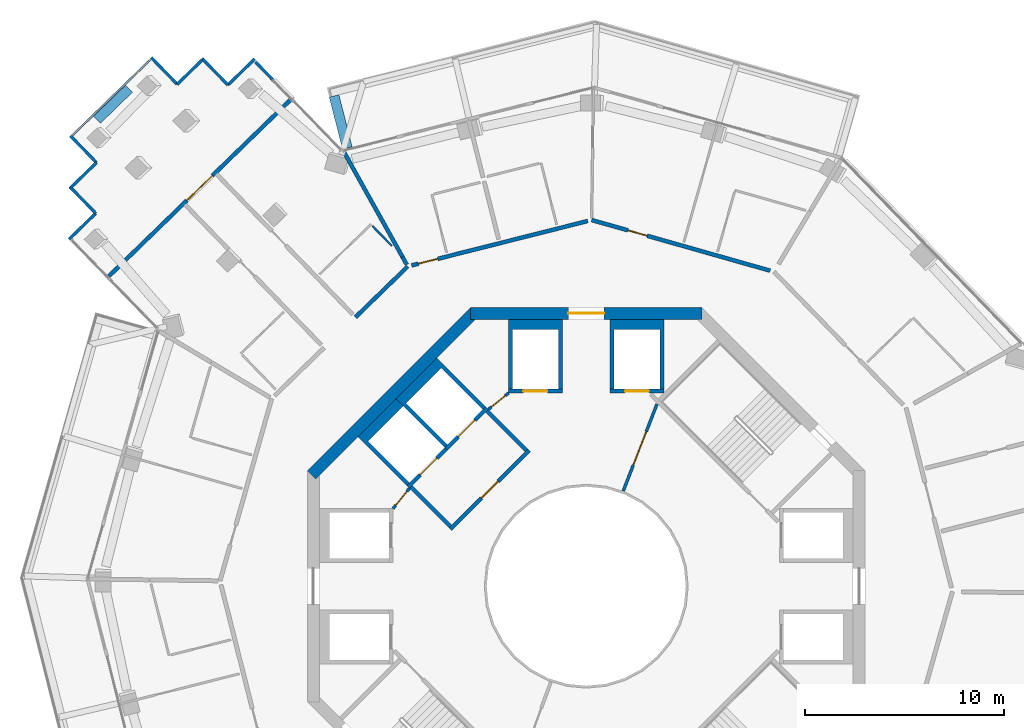
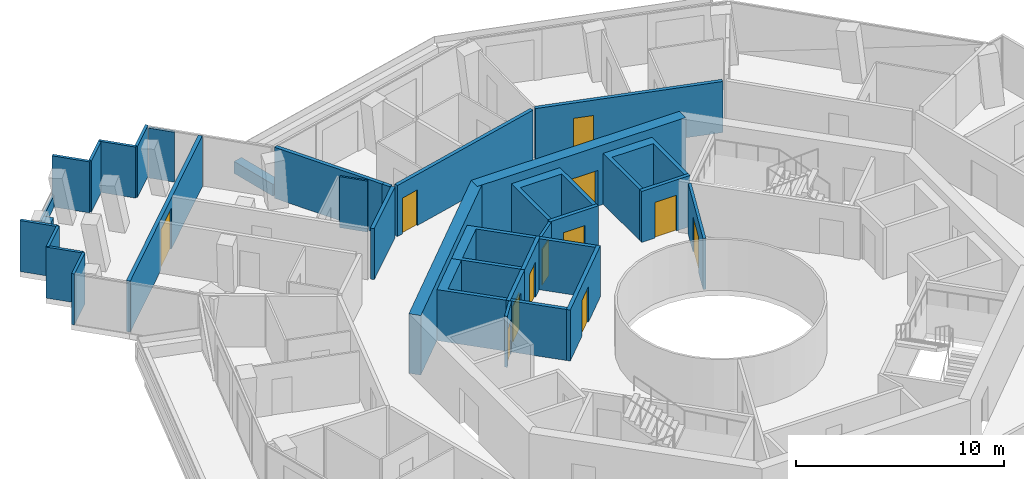
# One storey, part 19 of 24: 35 walls, 12 doors, 12 openings.
"""IFC4 building model written with IfcOpenShell, lengths in metres."""

from ifc_helpers import new_model, si_unit, direction, frame, frame_2d, origin, place, context, subcontext, project, spatial, polyline, rectangle, outline, extrude, material, layer, layer_set, type_object, element, fill, save


model = new_model("IFC4")

# Units and contexts
model_context = context("Model", 3, precision=1e-05, world=origin(), true_north=direction((0.0, 1.0)))
body_context = subcontext(model_context, "Body", "Model", "MODEL_VIEW")
ifc_project = project(units=[si_unit("LENGTHUNIT", "METRE"), si_unit("AREAUNIT", "SQUARE_METRE"), si_unit("VOLUMEUNIT", "CUBIC_METRE"), si_unit("PLANEANGLEUNIT", "RADIAN"), si_unit("MASSUNIT", "GRAM", prefix="KILO")], contexts=[model_context])

# Site, building, storey
site_placement = place(None, origin())
site = spatial("IfcSite", under=ifc_project, at=site_placement, CompositionType="ELEMENT")
building_placement = place(site_placement, origin())
building = spatial("IfcBuilding", under=site, at=building_placement, Name="Verdalira Terraces Hotel", CompositionType="ELEMENT")
storey_placement = place(building_placement, frame((0.0, 0.0, 212.5)))
storey = spatial("IfcBuildingStorey", under=building, at=storey_placement, Name="L52", CompositionType="ELEMENT", Elevation=212.5)

# Walls
ifc_material_1 = material(Name="Concrete C40", Category="concrete")
ifc_layer_1 = layer(ifc_material_1, 0.5)
ifc_layer_set_1 = layer_set([ifc_layer_1], Name="Balcony planter trough with tree")
wall_type_1 = type_object("IfcWallType", Name="Balcony planter trough with tree", PredefinedType="SOLIDWALL", material=ifc_layer_set_1)
wall_1_placement = place(storey_placement, frame((-12.655029, 24.610352, 0.0), z_axis=(0.0, 0.0, 1.0), x_axis=(0.244684701, -0.969602701, 0.0)))
element("IfcWall", 1, at=wall_1_placement, inside=storey, type_object=wall_type_1, Name="Balcony planter", PredefinedType="SOLIDWALL", context=body_context, shape_type="SweptSolid", body=[
    extrude(rectangle(XDim=2.698975, YDim=0.5, at=frame_2d((1.349609, 0.0))), origin(), (0.0, 0.0, 1.0), 0.699951),
])
ifc_material_2 = material(Name="Moisture-resistant gypsum board partition")
ifc_layer_2 = layer(ifc_material_2, 0.10009765625)
ifc_layer_set_2 = layer_set([ifc_layer_2], Name="Bathroom partition 100 mm")
wall_type_2 = type_object("IfcWallType", Name="Bathroom partition 100 mm", PredefinedType="PARTITIONING", material=ifc_layer_set_2)
wall_2_placement = place(storey_placement, frame((-10.737305, 18.090332, 0.0), z_axis=(0.0, 0.0, 1.0), x_axis=(0.696731792, -0.71733173, 0.0)))
element("IfcWall", 2, at=wall_2_placement, inside=storey, type_object=wall_type_2, Name="Bathroom partition", PredefinedType="PARTITIONING", context=body_context, shape_type="SweptSolid", body=[
    extrude(rectangle(XDim=1.398438, YDim=0.100098, at=frame_2d((0.699219, 0.0))), origin(), (0.0, 0.0, 1.0), 3.0),
])
ifc_material_3 = material(Name="Concrete C50", Category="concrete")
ifc_layer_3 = layer(ifc_material_3, 0.199951171875)
ifc_layer_set_3 = layer_set([ifc_layer_3], Name="Core RC wall 200 C50")
wall_type_3 = type_object("IfcWallType", Name="Core RC wall 200 C50", PredefinedType="SOLIDWALL", material=ifc_layer_set_3)
wall_3_placement = place(storey_placement, origin())
element("IfcWall", 3, at=wall_3_placement, inside=storey, type_object=wall_type_3, Name="L52 shaft wall N1", PredefinedType="SOLIDWALL", context=body_context, shape_type="SweptSolid", body=[
    extrude(outline(polyline([(3.899902, 9.899902), (3.699951, 9.899902), (3.699951, 12.899902), (1.399902, 12.899902), (1.399902, 9.899902), (1.199951, 9.899902), (1.199951, 13.399902), (3.899902, 13.399902), (3.899902, 9.899902)])), origin(), (0.0, 0.0, 1.0), 3.0),
])

# Wall, opening, door
wall_4_placement = place(storey_placement, frame((1.199951, 9.800049, 0.0), z_axis=(0.0, 0.0, 1.0), x_axis=(1.0, 0.0, 0.0)))
wall_4 = element("IfcWall", 4, at=wall_4_placement, inside=storey, type_object=wall_type_3, Name="L52 shaft front wall N1", PredefinedType="SOLIDWALL", context=body_context, shape_type="SweptSolid", body=[
    extrude(rectangle(XDim=2.699951, YDim=0.199951, at=frame_2d((1.350098, 0.0))), origin(), (0.0, 0.0, 1.0), 3.0),
])
opening_1_placement = place(wall_4_placement, frame((0.75, 0.0, 0.0)))
opening_1 = element("IfcOpeningElement", 5, at=opening_1_placement, cuts=wall_4, Name="Opening LD-L52-804", PredefinedType="OPENING", context=body_context, shape_type="SweptSolid", body=[
    extrude(rectangle(XDim=1.199951, YDim=2.100098, at=frame_2d((0.600098, 1.050049))), frame((0.0, 0.109863, 0.0), z_axis=(0.0, -1.0, 0.0), x_axis=(1.0, 0.0, 0.0)), (0.0, 0.0, 1.0), 0.219971),
])
ifc_material_4 = material(Name="Stainless steel", Category="steel")
door_type_1 = type_object("IfcDoorType", Name="Landing door 1200 x 2100", OperationType="NOTDEFINED", PredefinedType="DOOR", material=ifc_material_4)
door_1_placement = place(opening_1_placement, origin())
door_1 = element("IfcDoor", 6, at=door_1_placement, inside=storey, type_object=door_type_1, Name="Lift landing door HR3 L52", OperationType="DOUBLE_DOOR_SLIDING", OverallHeight=2.10009765625, OverallWidth=1.199951171875, PredefinedType="DOOR", context=body_context, shape_type="SweptSolid", body=[
    extrude(rectangle(XDim=1.199951, YDim=2.100098, at=frame_2d((0.600098, 1.050049))), frame((0.0, 0.024902, 0.0), z_axis=(0.0, -1.0, 0.0), x_axis=(1.0, 0.0, 0.0)), (0.0, 0.0, 1.0), 0.050049),
])
fill(opening_1, door_1)

# Wall
wall_5_placement = place(storey_placement, origin())
element("IfcWall", 7, at=wall_5_placement, inside=storey, type_object=wall_type_3, Name="L52 shaft wall N2", PredefinedType="SOLIDWALL", context=body_context, shape_type="SweptSolid", body=[
    extrude(outline(polyline([(-3.899902, 13.399902), (-1.199951, 13.399902), (-1.199951, 9.899902), (-1.399902, 9.899902), (-1.399902, 12.899902), (-3.699951, 12.899902), (-3.699951, 9.899902), (-3.899902, 9.899902), (-3.899902, 13.399902)])), origin(), (0.0, 0.0, 1.0), 3.0),
])

# Wall, opening, door
wall_6_placement = place(storey_placement, frame((-1.199951, 9.800049, 0.0), z_axis=(0.0, 0.0, 1.0), x_axis=(-1.0, 0.0, 0.0)))
wall_6 = element("IfcWall", 8, at=wall_6_placement, inside=storey, type_object=wall_type_3, Name="L52 shaft front wall N2", PredefinedType="SOLIDWALL", context=body_context, shape_type="SweptSolid", body=[
    extrude(rectangle(XDim=2.699951, YDim=0.199951, at=frame_2d((1.350098, 0.0))), origin(), (0.0, 0.0, 1.0), 3.0),
])
opening_2_placement = place(wall_6_placement, frame((0.75, 0.0, 0.0)))
opening_2 = element("IfcOpeningElement", 9, at=opening_2_placement, cuts=wall_6, Name="Opening LD-L52-805", PredefinedType="OPENING", context=body_context, shape_type="SweptSolid", body=[
    extrude(rectangle(XDim=1.199951, YDim=2.100098, at=frame_2d((0.600098, 1.050049))), frame((0.0, 0.109863, 0.0), z_axis=(0.0, -1.0, 0.0), x_axis=(1.0, 0.0, 0.0)), (0.0, 0.0, 1.0), 0.219971),
])
door_2_placement = place(opening_2_placement, origin())
door_2 = element("IfcDoor", 10, at=door_2_placement, inside=storey, type_object=door_type_1, Name="Lift landing door HR4 L52", OperationType="DOUBLE_DOOR_SLIDING", OverallHeight=2.10009765625, OverallWidth=1.199951171875, PredefinedType="DOOR", context=body_context, shape_type="SweptSolid", body=[
    extrude(rectangle(XDim=1.199951, YDim=2.100098, at=frame_2d((0.600098, 1.050049))), frame((0.0, 0.024902, 0.0), z_axis=(0.0, -1.0, 0.0), x_axis=(1.0, 0.0, 0.0)), (0.0, 0.0, 1.0), 0.050049),
])
fill(opening_2, door_2)

# Wall
wall_7_placement = place(storey_placement, origin())
element("IfcWall", 11, at=wall_7_placement, inside=storey, type_object=wall_type_3, Name="L52 shaft wall F1", PredefinedType="SOLIDWALL", context=body_context, shape_type="SweptSolid", body=[
    extrude(outline(polyline([(-9.545898, 9.404541), (-7.495361, 11.455078), (-5.055908, 9.015625), (-5.197266, 8.874268), (-7.283203, 10.960205), (-9.051025, 9.192383), (-6.965088, 7.106445), (-7.106445, 6.965088), (-9.545898, 9.404541)])), origin(), (0.0, 0.0, 1.0), 3.0),
])

# Wall, opening, door
wall_8_placement = place(storey_placement, frame((-4.985107, 8.944824, 0.0), z_axis=(0.0, 0.0, 1.0), x_axis=(-0.707106781, -0.707106781, 0.0)))
wall_8 = element("IfcWall", 12, at=wall_8_placement, inside=storey, type_object=wall_type_3, Name="L52 shaft front wall F1", PredefinedType="SOLIDWALL", context=body_context, shape_type="SweptSolid", body=[
    extrude(rectangle(XDim=2.899902, YDim=0.199951, at=frame_2d((1.449951, 0.0))), origin(), (0.0, 0.0, 1.0), 3.0),
])
opening_3_placement = place(wall_8_placement, frame((0.850098, 0.0, 0.0)))
opening_3 = element("IfcOpeningElement", 13, at=opening_3_placement, cuts=wall_8, Name="Opening LD-L52-808", PredefinedType="OPENING", context=body_context, shape_type="SweptSolid", body=[
    extrude(rectangle(XDim=1.199951, YDim=2.100098, at=frame_2d((0.600098, 1.050049))), frame((0.0, 0.109863, 0.0), z_axis=(0.0, -1.0, 0.0), x_axis=(1.0, 0.0, 0.0)), (0.0, 0.0, 1.0), 0.219971),
])
door_3_placement = place(opening_3_placement, origin())
door_3 = element("IfcDoor", 14, at=door_3_placement, inside=storey, type_object=door_type_1, Name="Lift landing door LF11 L52", OperationType="DOUBLE_DOOR_SLIDING", OverallHeight=2.10009765625, OverallWidth=1.199951171875, PredefinedType="DOOR", context=body_context, shape_type="SweptSolid", body=[
    extrude(rectangle(XDim=1.199951, YDim=2.100098, at=frame_2d((0.600098, 1.050049))), frame((0.0, 0.024902, 0.0), z_axis=(0.0, -1.0, 0.0), x_axis=(1.0, 0.0, 0.0)), (0.0, 0.0, 1.0), 0.050049),
])
fill(opening_3, door_3)

# Wall
wall_9_placement = place(storey_placement, origin())
element("IfcWall", 15, at=wall_9_placement, inside=storey, type_object=wall_type_3, Name="L52 shaft wall F2", PredefinedType="SOLIDWALL", context=body_context, shape_type="SweptSolid", body=[
    extrude(outline(polyline([(-11.455078, 7.495361), (-9.545898, 9.404541), (-9.192383, 9.051025), (-10.960205, 7.283203), (-8.874268, 5.197266), (-9.015625, 5.055908), (-11.455078, 7.495361)])), origin(), (0.0, 0.0, 1.0), 3.0),
])

# Wall, opening, door
wall_10_placement = place(storey_placement, frame((-7.035645, 6.894287, 0.0), z_axis=(0.0, 0.0, 1.0), x_axis=(-0.707106781, -0.707106781, 0.0)))
wall_10 = element("IfcWall", 16, at=wall_10_placement, inside=storey, type_object=wall_type_3, Name="L52 shaft front wall F2", PredefinedType="SOLIDWALL", context=body_context, shape_type="SweptSolid", body=[
    extrude(rectangle(XDim=2.699951, YDim=0.199951, at=frame_2d((1.350098, 0.0))), origin(), (0.0, 0.0, 1.0), 3.0),
])
opening_4_placement = place(wall_10_placement, frame((0.649902, 0.0, 0.0)))
opening_4 = element("IfcOpeningElement", 17, at=opening_4_placement, cuts=wall_10, Name="Opening LD-L52-809", PredefinedType="OPENING", context=body_context, shape_type="SweptSolid", body=[
    extrude(rectangle(XDim=1.199951, YDim=2.100098, at=frame_2d((0.600098, 1.050049))), frame((0.0, 0.109863, 0.0), z_axis=(0.0, -1.0, 0.0), x_axis=(1.0, 0.0, 0.0)), (0.0, 0.0, 1.0), 0.219971),
])
door_4_placement = place(opening_4_placement, origin())
door_4 = element("IfcDoor", 18, at=door_4_placement, inside=storey, type_object=door_type_1, Name="Lift landing door LF12 L52", OperationType="DOUBLE_DOOR_SLIDING", OverallHeight=2.10009765625, OverallWidth=1.199951171875, PredefinedType="DOOR", context=body_context, shape_type="SweptSolid", body=[
    extrude(rectangle(XDim=1.199951, YDim=2.100098, at=frame_2d((0.600098, 1.050049))), frame((0.0, 0.024902, 0.0), z_axis=(0.0, -1.0, 0.0), x_axis=(1.0, 0.0, 0.0)), (0.0, 0.0, 1.0), 0.050049),
])
fill(opening_4, door_4)

wall_11_placement = place(storey_placement, frame((-2.86377, 6.823486, 0.0), z_axis=(0.0, 0.0, 1.0), x_axis=(-0.707106781, -0.707106781, 0.0)))
wall_11 = element("IfcWall", 19, at=wall_11_placement, inside=storey, type_object=wall_type_3, Name="L52 fire lobby wall", PredefinedType="SOLIDWALL", context=body_context, shape_type="SweptSolid", body=[
    extrude(rectangle(XDim=5.599854, YDim=0.199951, at=frame_2d((2.799805, 0.0))), origin(), (0.0, 0.0, 1.0), 3.0),
])
opening_5_placement = place(wall_11_placement, frame((2.199951, 0.0, 0.0)))
opening_5 = element("IfcOpeningElement", 20, at=opening_5_placement, cuts=wall_11, Name="Opening L52-819", PredefinedType="OPENING", context=body_context, shape_type="SweptSolid", body=[
    extrude(rectangle(XDim=1.199951, YDim=2.100098, at=frame_2d((0.600098, 1.050049))), frame((0.0, 0.109863, 0.0), z_axis=(0.0, -1.0, 0.0), x_axis=(1.0, 0.0, 0.0)), (0.0, 0.0, 1.0), 0.219971),
])
ifc_material_5 = material(Name="Steel fire door", Category="steel")
door_type_2 = type_object("IfcDoorType", Name="Lobby door 1200 x 2100", OperationType="NOTDEFINED", PredefinedType="DOOR", material=ifc_material_5)
door_5_placement = place(opening_5_placement, origin())
door_5 = element("IfcDoor", 21, at=door_5_placement, inside=storey, type_object=door_type_2, Name="Fire lobby door L52", OperationType="SINGLE_SWING_LEFT", OverallHeight=2.10009765625, OverallWidth=1.199951171875, PredefinedType="DOOR", context=body_context, shape_type="SweptSolid", body=[
    extrude(rectangle(XDim=1.199951, YDim=2.100098, at=frame_2d((0.600098, 1.050049))), frame((0.0, 0.024902, 0.0), z_axis=(0.0, -1.0, 0.0), x_axis=(1.0, 0.0, 0.0)), (0.0, 0.0, 1.0), 0.050049),
])
fill(opening_5, door_5)

# Walls
for number, where, z_axis, x_axis, name in (
    (22, (-3.005127, 6.823486, 0.0), (0.0, 0.0, 1.0), (-0.707106781, 0.707106781, 0.0), "L52 fire lobby wall"),
    (23, (-6.823486, 3.005127, 0.0), (0.0, 0.0, 1.0), (-0.707106781, 0.707106781, 0.0), "L52 fire lobby wall"),
):
    element("IfcWall", number, at=place(storey_placement, frame(where, z_axis=z_axis, x_axis=x_axis)), inside=storey, type_object=wall_type_3, Name=name, PredefinedType="SOLIDWALL", context=body_context, shape_type="SweptSolid", body=[
        extrude(rectangle(XDim=2.800049, YDim=0.199951, at=frame_2d((1.399902, 0.0))), origin(), (0.0, 0.0, 1.0), 3.0),
    ])

# Wall, opening, door
ifc_material_6 = material(Name="Gypsum board partition")
ifc_layer_4 = layer(ifc_material_6, 0.14990234375)
ifc_layer_set_4 = layer_set([ifc_layer_4], Name="Core partition 150 mm")
wall_type_4 = type_object("IfcWallType", Name="Core partition 150 mm", PredefinedType="PARTITIONING", material=ifc_layer_set_4)
wall_12_placement = place(storey_placement, frame((-3.899902, 9.699951, 0.0), z_axis=(0.0, 0.0, 1.0), x_axis=(-0.775559878, -0.631274009, 0.0)))
wall_12 = element("IfcWall", 24, at=wall_12_placement, inside=storey, type_object=wall_type_4, Name="Room partition L52", PredefinedType="PARTITIONING", context=body_context, shape_type="SweptSolid", body=[
    extrude(rectangle(XDim=1.307861, YDim=0.149902, at=frame_2d((0.653809, 0.0))), origin(), (0.0, 0.0, 1.0), 3.0),
])
opening_6_placement = place(wall_12_placement, frame((0.204102, 0.0, 0.0)))
opening_6 = element("IfcOpeningElement", 25, at=opening_6_placement, cuts=wall_12, Name="Opening L52-820", PredefinedType="OPENING", context=body_context, shape_type="SweptSolid", body=[
    extrude(rectangle(XDim=0.899902, YDim=2.100098, at=frame_2d((0.449951, 1.050049))), frame((0.0, 0.084961, 0.0), z_axis=(0.0, -1.0, 0.0), x_axis=(1.0, 0.0, 0.0)), (0.0, 0.0, 1.0), 0.169922),
])
ifc_material_7 = material(Name="Steel fire door", Category="steel")
door_type_3 = type_object("IfcDoorType", Name="Core room door 900 x 2100", OperationType="NOTDEFINED", PredefinedType="DOOR", material=ifc_material_7)
door_6_placement = place(opening_6_placement, origin())
door_6 = element("IfcDoor", 26, at=door_6_placement, inside=storey, type_object=door_type_3, Name="Door L52 room2", OperationType="SINGLE_SWING_LEFT", OverallHeight=2.10009765625, OverallWidth=0.89990234375, PredefinedType="DOOR", context=body_context, shape_type="SweptSolid", body=[
    extrude(rectangle(XDim=0.899902, YDim=2.100098, at=frame_2d((0.449951, 1.050049))), frame((0.0, 0.024902, 0.0), z_axis=(0.0, -1.0, 0.0), x_axis=(1.0, 0.0, 0.0)), (0.0, 0.0, 1.0), 0.050049),
])
fill(opening_6, door_6)

wall_13_placement = place(storey_placement, frame((-8.874268, 4.914307, 0.0), z_axis=(0.0, 0.0, 1.0), x_axis=(-0.631274009, -0.775559878, 0.0)))
wall_13 = element("IfcWall", 27, at=wall_13_placement, inside=storey, type_object=wall_type_4, Name="Room partition L52", PredefinedType="PARTITIONING", context=body_context, shape_type="SweptSolid", body=[
    extrude(rectangle(XDim=1.307861, YDim=0.149902, at=frame_2d((0.653809, 0.0))), origin(), (0.0, 0.0, 1.0), 3.0),
])
opening_7_placement = place(wall_13_placement, frame((0.204102, 0.0, 0.0)))
opening_7 = element("IfcOpeningElement", 28, at=opening_7_placement, cuts=wall_13, Name="Opening L52-821", PredefinedType="OPENING", context=body_context, shape_type="SweptSolid", body=[
    extrude(rectangle(XDim=0.899902, YDim=2.100098, at=frame_2d((0.449951, 1.050049))), frame((0.0, 0.084961, 0.0), z_axis=(0.0, -1.0, 0.0), x_axis=(1.0, 0.0, 0.0)), (0.0, 0.0, 1.0), 0.169922),
])
door_7_placement = place(opening_7_placement, origin())
door_7 = element("IfcDoor", 29, at=door_7_placement, inside=storey, type_object=door_type_3, Name="Door L52 room3", OperationType="SINGLE_SWING_LEFT", OverallHeight=2.10009765625, OverallWidth=0.89990234375, PredefinedType="DOOR", context=body_context, shape_type="SweptSolid", body=[
    extrude(rectangle(XDim=0.899902, YDim=2.100098, at=frame_2d((0.449951, 1.050049))), frame((0.0, 0.024902, 0.0), z_axis=(0.0, -1.0, 0.0), x_axis=(1.0, 0.0, 0.0)), (0.0, 0.0, 1.0), 0.050049),
])
fill(opening_7, door_7)

wall_14_placement = place(storey_placement, frame((1.857178, 4.781982, 0.0), z_axis=(0.0, 0.0, 1.0), x_axis=(0.362053096, 0.932157474, 0.0)))
wall_14 = element("IfcWall", 30, at=wall_14_placement, inside=storey, type_object=wall_type_4, Name="Gallery fire partition L52", PredefinedType="PARTITIONING", context=body_context, shape_type="SweptSolid", body=[
    extrude(rectangle(XDim=4.675049, YDim=0.149902, at=frame_2d((2.337402, 0.0))), origin(), (0.0, 0.0, 1.0), 3.0),
])
opening_8_placement = place(wall_14_placement, frame((1.399902, 0.0, 0.0)))
opening_8 = element("IfcOpeningElement", 31, at=opening_8_placement, cuts=wall_14, Name="Opening L52-823", PredefinedType="OPENING", context=body_context, shape_type="SweptSolid", body=[
    extrude(rectangle(XDim=1.800049, YDim=2.100098, at=frame_2d((0.899902, 1.050049))), frame((0.0, 0.084961, 0.0), z_axis=(0.0, -1.0, 0.0), x_axis=(1.0, 0.0, 0.0)), (0.0, 0.0, 1.0), 0.169922),
])
ifc_material_8 = material(Name="Steel fire door", Category="steel")
door_type_4 = type_object("IfcDoorType", Name="Gallery fire door pair 1800 x 2100", OperationType="NOTDEFINED", PredefinedType="DOOR", material=ifc_material_8)
door_8_placement = place(opening_8_placement, origin())
door_8 = element("IfcDoor", 32, at=door_8_placement, inside=storey, type_object=door_type_4, Name="Door L52 split1", OperationType="DOUBLE_DOOR_SINGLE_SWING", OverallHeight=2.10009765625, OverallWidth=1.800048828125, PredefinedType="DOOR", context=body_context, shape_type="SweptSolid", body=[
    extrude(rectangle(XDim=1.800049, YDim=2.100098, at=frame_2d((0.899902, 1.050049))), frame((0.0, 0.024902, 0.0), z_axis=(0.0, -1.0, 0.0), x_axis=(1.0, 0.0, 0.0)), (0.0, 0.0, 1.0), 0.050049),
])
fill(opening_8, door_8)

ifc_material_9 = material(Name="Concrete C60", Category="concrete")
ifc_layer_5 = layer(ifc_material_9, 0.60009765625)
ifc_layer_set_5 = layer_set([ifc_layer_5], Name="Core wall 600 C60")
wall_type_5 = type_object("IfcWallType", Name="Core wall 600 C60", PredefinedType="SHEAR", material=ifc_layer_set_5)
wall_15_placement = place(storey_placement, frame((5.799072, 13.699951, 0.0), z_axis=(0.0, 0.0, 1.0), x_axis=(-1.0, 0.0, 0.0)))
wall_15 = element("IfcWall", 33, at=wall_15_placement, inside=storey, type_object=wall_type_5, Name="Core wall CW-L52-3", PredefinedType="SHEAR", context=body_context, shape_type="SweptSolid", body=[
    extrude(rectangle(XDim=11.598145, YDim=0.600098, at=frame_2d((5.799072, 0.0))), origin(), (0.0, 0.0, 1.0), 3.5),
])
opening_9_placement = place(wall_15_placement, frame((4.898926, 0.0, 0.0)))
opening_9 = element("IfcOpeningElement", 34, at=opening_9_placement, cuts=wall_15, Name="Opening L52-814", PredefinedType="OPENING", context=body_context, shape_type="SweptSolid", body=[
    extrude(rectangle(XDim=1.800049, YDim=2.100098, at=frame_2d((0.899902, 1.050049))), frame((0.0, 0.310059, 0.0), z_axis=(0.0, -1.0, 0.0), x_axis=(1.0, 0.0, 0.0)), (0.0, 0.0, 1.0), 0.620117),
])
ifc_material_10 = material(Name="Steel fire door", Category="steel")
door_type_5 = type_object("IfcDoorType", Name="Core entry door pair 1800 x 2100", OperationType="NOTDEFINED", PredefinedType="DOOR", material=ifc_material_10)
door_9_placement = place(opening_9_placement, origin())
door_9 = element("IfcDoor", 35, at=door_9_placement, inside=storey, type_object=door_type_5, Name="Core entry door L52 2", OperationType="DOUBLE_DOOR_SINGLE_SWING", OverallHeight=2.10009765625, OverallWidth=1.800048828125, PredefinedType="DOOR", context=body_context, shape_type="SweptSolid", body=[
    extrude(rectangle(XDim=1.800049, YDim=2.100098, at=frame_2d((0.899902, 1.050049))), frame((0.0, 0.024902, 0.0), z_axis=(0.0, -1.0, 0.0), x_axis=(1.0, 0.0, 0.0)), (0.0, 0.0, 1.0), 0.050049),
])
fill(opening_9, door_9)

# Walls
wall_16_placement = place(storey_placement, frame((-5.586914, 13.787842, 0.0), z_axis=(0.0, 0.0, 1.0), x_axis=(-0.707106781, -0.707106781, 0.0)))
element("IfcWall", 36, at=wall_16_placement, inside=storey, type_object=wall_type_5, Name="Core wall CW-L52-4", PredefinedType="SHEAR", context=body_context, shape_type="SweptSolid", body=[
    extrude(rectangle(XDim=11.5979, YDim=0.600098, at=frame_2d((5.798828, 0.0))), origin(), (0.0, 0.0, 1.0), 3.5),
])
ifc_material_11 = material(Name="Fire-rated gypsum board wall")
ifc_layer_6 = layer(ifc_material_11, 0.199951171875)
ifc_layer_set_6 = layer_set([ifc_layer_6], Name="Demising wall 200 mm")
wall_type_6 = type_object("IfcWallType", Name="Demising wall 200 mm", PredefinedType="SOLIDWALL", material=ifc_layer_set_6)
wall_17_placement = place(storey_placement, frame((-12.163818, 21.800293, 0.0), z_axis=(0.0, 0.0, 1.0), x_axis=(0.487260658, -0.873256578, 0.0)))
element("IfcWall", 37, at=wall_17_placement, inside=storey, type_object=wall_type_6, Name="Demising wall", PredefinedType="SOLIDWALL", context=body_context, shape_type="SweptSolid", body=[
    extrude(rectangle(XDim=6.032227, YDim=0.199951, at=frame_2d((3.016113, 0.0))), origin(), (0.0, 0.0, 1.0), 3.0),
])
wall_18_placement = place(storey_placement, frame((-9.224609, 16.532715, 0.0), z_axis=(0.0, 0.0, 1.0), x_axis=(0.487229637, -0.873273887, 0.0)))
element("IfcWall", 38, at=wall_18_placement, inside=storey, type_object=wall_type_6, Name="Demising wall", PredefinedType="SOLIDWALL", context=body_context, shape_type="SweptSolid", body=[
    extrude(rectangle(XDim=0.443848, YDim=0.199951, at=frame_2d((0.221924, 0.0))), origin(), (0.0, 0.0, 1.0), 3.0),
])
ifc_material_12 = material(Name="Fire-rated gypsum board wall")
ifc_layer_7 = layer(ifc_material_12, 0.199951171875)
ifc_layer_set_7 = layer_set([ifc_layer_7], Name="Guest corridor wall 200 mm")
wall_type_7 = type_object("IfcWallType", Name="Guest corridor wall 200 mm", PredefinedType="SOLIDWALL", material=ifc_layer_set_7)
wall_19_placement = place(storey_placement, frame((-8.958008, 16.054688, 0.0), z_axis=(0.0, 0.0, 1.0), x_axis=(-0.717408019, -0.696653238, 0.0)))
element("IfcWall", 39, at=wall_19_placement, inside=storey, type_object=wall_type_7, Name="Guest corridor wall", PredefinedType="SOLIDWALL", context=body_context, shape_type="SweptSolid", body=[
    extrude(rectangle(XDim=3.658203, YDim=0.199951, at=frame_2d((1.829102, 0.0))), origin(), (0.0, 0.0, 1.0), 3.0),
])

# Wall, opening, door
wall_20_placement = place(storey_placement, frame((-8.76416, 16.10376, 0.0), z_axis=(0.0, 0.0, 1.0), x_axis=(0.969617265, 0.244626981, 0.0)))
wall_20 = element("IfcWall", 40, at=wall_20_placement, inside=storey, type_object=wall_type_7, Name="Guest corridor wall", PredefinedType="SOLIDWALL", context=body_context, shape_type="SweptSolid", body=[
    extrude(rectangle(XDim=9.116943, YDim=0.199951, at=frame_2d((4.558594, 0.0))), origin(), (0.0, 0.0, 1.0), 3.0),
])
opening_10_placement = place(wall_20_placement, frame((0.350098, 0.0, 0.0)))
opening_10 = element("IfcOpeningElement", 41, at=opening_10_placement, cuts=wall_20, Name="Opening L52-133", PredefinedType="OPENING", context=body_context, shape_type="SweptSolid", body=[
    extrude(rectangle(XDim=1.0, YDim=2.100098, at=frame_2d((0.5, 1.050049))), frame((0.0, 0.109863, 0.0), z_axis=(0.0, -1.0, 0.0), x_axis=(1.0, 0.0, 0.0)), (0.0, 0.0, 1.0), 0.219971),
])
ifc_material_13 = material(Name="Timber fire door", Category="wood")
door_type_6 = type_object("IfcDoorType", Name="Guest entry door 1000 x 2100", OperationType="NOTDEFINED", PredefinedType="DOOR", material=ifc_material_13)
door_10_placement = place(opening_10_placement, origin())
door_10 = element("IfcDoor", 42, at=door_10_placement, inside=storey, type_object=door_type_6, Name="Guest entry door 5213", OperationType="SINGLE_SWING_LEFT", OverallHeight=2.10009765625, OverallWidth=1.0, PredefinedType="DOOR", context=body_context, shape_type="SweptSolid", body=[
    extrude(rectangle(XDim=1.0, YDim=2.100098, at=frame_2d((0.5, 1.050049))), frame((0.0, 0.024902, 0.0), z_axis=(0.0, -1.0, 0.0), x_axis=(1.0, 0.0, 0.0)), (0.0, 0.0, 1.0), 0.050049),
])
fill(opening_10, door_10)

wall_21_placement = place(storey_placement, frame((0.269531, 18.382812, 0.0), z_axis=(0.0, 0.0, 1.0), x_axis=(0.96202861, -0.272948627, 0.0)))
wall_21 = element("IfcWall", 43, at=wall_21_placement, inside=storey, type_object=wall_type_7, Name="Guest corridor wall", PredefinedType="SOLIDWALL", context=body_context, shape_type="SweptSolid", body=[
    extrude(rectangle(XDim=9.31665, YDim=0.199951, at=frame_2d((4.658203, 0.0))), origin(), (0.0, 0.0, 1.0), 3.0),
])
opening_11_placement = place(wall_21_placement, frame((1.899902, 0.0, 0.0)))
opening_11 = element("IfcOpeningElement", 44, at=opening_11_placement, cuts=wall_21, Name="Opening L52-128", PredefinedType="OPENING", context=body_context, shape_type="SweptSolid", body=[
    extrude(rectangle(XDim=1.0, YDim=2.100098, at=frame_2d((0.5, 1.050049))), frame((0.0, 0.109863, 0.0), z_axis=(0.0, -1.0, 0.0), x_axis=(1.0, 0.0, 0.0)), (0.0, 0.0, 1.0), 0.219971),
])
door_11_placement = place(opening_11_placement, origin())
door_11 = element("IfcDoor", 45, at=door_11_placement, inside=storey, type_object=door_type_6, Name="Guest entry door 5212", OperationType="SINGLE_SWING_LEFT", OverallHeight=2.10009765625, OverallWidth=1.0, PredefinedType="DOOR", context=body_context, shape_type="SweptSolid", body=[
    extrude(rectangle(XDim=1.0, YDim=2.100098, at=frame_2d((0.5, 1.050049))), frame((0.0, 0.024902, 0.0), z_axis=(0.0, -1.0, 0.0), x_axis=(1.0, 0.0, 0.0)), (0.0, 0.0, 1.0), 0.050049),
])
fill(opening_11, door_11)

ifc_material_14 = material(Name="Terracotta cladding", Category="masonry")
ifc_layer_8 = layer(ifc_material_14, 0.199951171875)
ifc_layer_set_8 = layer_set([ifc_layer_8], Name="Loggia back wall 200")
wall_type_8 = type_object("IfcWallType", Name="Loggia back wall 200", PredefinedType="SOLIDWALL", material=ifc_layer_set_8)
wall_22_placement = place(storey_placement, frame((-23.963867, 15.562256, 0.0), z_axis=(0.0, 0.0, 1.0), x_axis=(0.717392469, 0.696669251, 0.0)))
wall_22 = element("IfcWall", 46, at=wall_22_placement, inside=storey, type_object=wall_type_8, Name="Loggia back wall", PredefinedType="SOLIDWALL", context=body_context, shape_type="SweptSolid", body=[
    extrude(rectangle(XDim=12.699951, YDim=0.199951, at=frame_2d((6.350098, 0.0))), origin(), (0.0, 0.0, 1.0), 3.0),
])
opening_12_placement = place(wall_22_placement, frame((5.449951, 0.0, 0.0)))
opening_12 = element("IfcOpeningElement", 47, at=opening_12_placement, cuts=wall_22, Name="Opening L52-L01", PredefinedType="OPENING", context=body_context, shape_type="SweptSolid", body=[
    extrude(rectangle(XDim=1.800049, YDim=2.399902, at=frame_2d((0.899902, 1.199951))), frame((0.0, 0.109863, 0.0), z_axis=(0.0, -1.0, 0.0), x_axis=(1.0, 0.0, 0.0)), (0.0, 0.0, 1.0), 0.219971),
])
ifc_material_15 = material(Name="Clear glass", Category="glass")
door_type_7 = type_object("IfcDoorType", Name="Garden double door 1800x2400", OperationType="NOTDEFINED", PredefinedType="DOOR", material=ifc_material_15)
door_12_placement = place(opening_12_placement, origin())
door_12 = element("IfcDoor", 48, at=door_12_placement, inside=storey, type_object=door_type_7, Name="Loggia double door", OperationType="DOUBLE_DOOR_SINGLE_SWING", OverallHeight=2.39990234375, OverallWidth=1.800048828125, PredefinedType="DOOR", context=body_context, shape_type="SweptSolid", body=[
    extrude(rectangle(XDim=1.800049, YDim=2.399902, at=frame_2d((0.899902, 1.199951))), frame((0.0, 0.024902, 0.0), z_axis=(0.0, -1.0, 0.0), x_axis=(1.0, 0.0, 0.0)), (0.0, 0.0, 1.0), 0.050049),
])
fill(opening_12, door_12)

# Walls
ifc_material_16 = material(Name="Concrete C40", Category="concrete")
ifc_layer_9 = layer(ifc_material_16, 0.5)
ifc_layer_set_9 = layer_set([ifc_layer_9], Name="Loggia planter trough with tree")
wall_type_9 = type_object("IfcWallType", Name="Loggia planter trough with tree", PredefinedType="SOLIDWALL", material=ifc_layer_set_9)
wall_23_placement = place(storey_placement, frame((-22.951416, 24.978516, 0.0), z_axis=(0.0, 0.0, 1.0), x_axis=(-0.717409732, -0.696651474, 0.0)))
element("IfcWall", 49, at=wall_23_placement, inside=storey, type_object=wall_type_9, Name="Loggia planter", PredefinedType="SOLIDWALL", context=body_context, shape_type="SweptSolid", body=[
    extrude(rectangle(XDim=2.246338, YDim=0.5, at=frame_2d((1.123047, 0.0))), origin(), (0.0, 0.0, 1.0), 0.699951),
])
ifc_material_17 = material(Name="Concrete C40", Category="concrete")
ifc_layer_10 = layer(ifc_material_17, 0.10009765625)
ifc_layer_set_10 = layer_set([ifc_layer_10], Name="Loggia upstand 100")
wall_type_10 = type_object("IfcWallType", Name="Loggia upstand 100", PredefinedType="SOLIDWALL", material=ifc_layer_set_10)
wall_24_placement = place(storey_placement, frame((-21.859375, 26.457275, 0.0), z_axis=(0.0, 0.0, 1.0), x_axis=(-0.717417549, -0.696643424, 0.0)))
element("IfcWall", 50, at=wall_24_placement, inside=storey, type_object=wall_type_10, Name="Loggia upstand", PredefinedType="SOLIDWALL", context=body_context, shape_type="SweptSolid", body=[
    extrude(rectangle(XDim=5.5, YDim=0.100098, at=frame_2d((2.75, 0.0))), origin(), (0.0, 0.0, 1.0), 0.699951),
])
ifc_material_18 = material(Name="Terracotta cladding", Category="masonry")
ifc_layer_11 = layer(ifc_material_18, 0.14990234375)
ifc_layer_set_11 = layer_set([ifc_layer_11], Name="Terracotta clad wall 150")
wall_type_11 = type_object("IfcWallType", Name="Terracotta clad wall 150", PredefinedType="SOLIDWALL", material=ifc_layer_set_11)
wall_25_placement = place(storey_placement, frame((-16.643799, 26.469238, 0.0), z_axis=(0.0, 0.0, 1.0), x_axis=(-0.717383505, -0.696678481, 0.0)))
element("IfcWall", 51, at=wall_25_placement, inside=storey, type_object=wall_type_11, Name="Terracotta cladding wall", PredefinedType="SOLIDWALL", context=body_context, shape_type="SweptSolid", body=[
    extrude(rectangle(XDim=1.874756, YDim=0.149902, at=frame_2d((0.9375, 0.0))), origin(), (0.0, 0.0, 1.0), 3.0),
])
wall_26_placement = place(storey_placement, frame((-17.98877, 25.163086, 0.0), z_axis=(0.0, 0.0, 1.0), x_axis=(-0.696723877, 0.717339417, 0.0)))
element("IfcWall", 52, at=wall_26_placement, inside=storey, type_object=wall_type_11, Name="Terracotta cladding wall", PredefinedType="SOLIDWALL", context=body_context, shape_type="SweptSolid", body=[
    extrude(rectangle(XDim=1.800049, YDim=0.149902, at=frame_2d((0.899902, 0.0))), origin(), (0.0, 0.0, 1.0), 3.0),
])
wall_27_placement = place(storey_placement, frame((-19.188965, 26.506592, 0.0), z_axis=(0.0, 0.0, 1.0), x_axis=(-0.717381627, -0.696680415, 0.0)))
element("IfcWall", 53, at=wall_27_placement, inside=storey, type_object=wall_type_11, Name="Terracotta cladding wall", PredefinedType="SOLIDWALL", context=body_context, shape_type="SweptSolid", body=[
    extrude(rectangle(XDim=1.875244, YDim=0.149902, at=frame_2d((0.9375, 0.0))), origin(), (0.0, 0.0, 1.0), 3.0),
])
wall_28_placement = place(storey_placement, frame((-20.53418, 25.200195, 0.0), z_axis=(0.0, 0.0, 1.0), x_axis=(-0.696613402, 0.7174467, 0.0)))
element("IfcWall", 54, at=wall_28_placement, inside=storey, type_object=wall_type_11, Name="Terracotta cladding wall", PredefinedType="SOLIDWALL", context=body_context, shape_type="SweptSolid", body=[
    extrude(rectangle(XDim=1.875, YDim=0.149902, at=frame_2d((0.9375, 0.0))), origin(), (0.0, 0.0, 1.0), 3.0),
])
wall_29_placement = place(storey_placement, frame((-25.893799, 22.609375, 0.0), z_axis=(0.0, 0.0, 1.0), x_axis=(0.696680415, -0.717381627, 0.0)))
element("IfcWall", 55, at=wall_29_placement, inside=storey, type_object=wall_type_11, Name="Terracotta cladding wall", PredefinedType="SOLIDWALL", context=body_context, shape_type="SweptSolid", body=[
    extrude(rectangle(XDim=1.875244, YDim=0.149902, at=frame_2d((0.9375, 0.0))), origin(), (0.0, 0.0, 1.0), 3.0),
])
wall_30_placement = place(storey_placement, frame((-24.587402, 21.26416, 0.0), z_axis=(0.0, 0.0, 1.0), x_axis=(-0.717473026, -0.696586288, 0.0)))
element("IfcWall", 56, at=wall_30_placement, inside=storey, type_object=wall_type_11, Name="Terracotta cladding wall", PredefinedType="SOLIDWALL", context=body_context, shape_type="SweptSolid", body=[
    extrude(rectangle(XDim=1.800049, YDim=0.149902, at=frame_2d((0.899902, 0.0))), origin(), (0.0, 0.0, 1.0), 3.0),
])
wall_31_placement = place(storey_placement, frame((-25.931152, 20.063965, 0.0), z_axis=(0.0, 0.0, 1.0), x_axis=(0.696680415, -0.717381627, 0.0)))
element("IfcWall", 57, at=wall_31_placement, inside=storey, type_object=wall_type_11, Name="Terracotta cladding wall", PredefinedType="SOLIDWALL", context=body_context, shape_type="SweptSolid", body=[
    extrude(rectangle(XDim=1.875244, YDim=0.149902, at=frame_2d((0.9375, 0.0))), origin(), (0.0, 0.0, 1.0), 3.0),
])
wall_32_placement = place(storey_placement, frame((-24.624756, 18.71875, 0.0), z_axis=(0.0, 0.0, 1.0), x_axis=(-0.7174467, -0.696613402, 0.0)))
element("IfcWall", 58, at=wall_32_placement, inside=storey, type_object=wall_type_11, Name="Terracotta cladding wall", PredefinedType="SOLIDWALL", context=body_context, shape_type="SweptSolid", body=[
    extrude(rectangle(XDim=1.875, YDim=0.149902, at=frame_2d((0.9375, 0.0))), origin(), (0.0, 0.0, 1.0), 3.0),
])
ifc_material_19 = material(Name="Terracotta cladding", Category="masonry")
ifc_layer_12 = layer(ifc_material_19, 0.14990234375)
ifc_layer_set_12 = layer_set([ifc_layer_12], Name="Terracotta column pier 150")
wall_type_12 = type_object("IfcWallType", Name="Terracotta column pier 150", PredefinedType="SOLIDWALL", material=ifc_layer_set_12)
wall_33_placement = place(storey_placement, frame((-15.704834, 25.394775, 0.0), z_axis=(0.0, 0.0, 1.0), x_axis=(-0.696634251, 0.717426456, 0.0)))
element("IfcWall", 59, at=wall_33_placement, inside=storey, type_object=wall_type_12, Name="Terracotta column pier", PredefinedType="SOLIDWALL", context=body_context, shape_type="SweptSolid", body=[
    extrude(rectangle(XDim=1.279785, YDim=0.149902, at=frame_2d((0.639893, 0.0))), origin(), (0.0, 0.0, 1.0), 2.935059),
])

save(model, "model.ifc")
